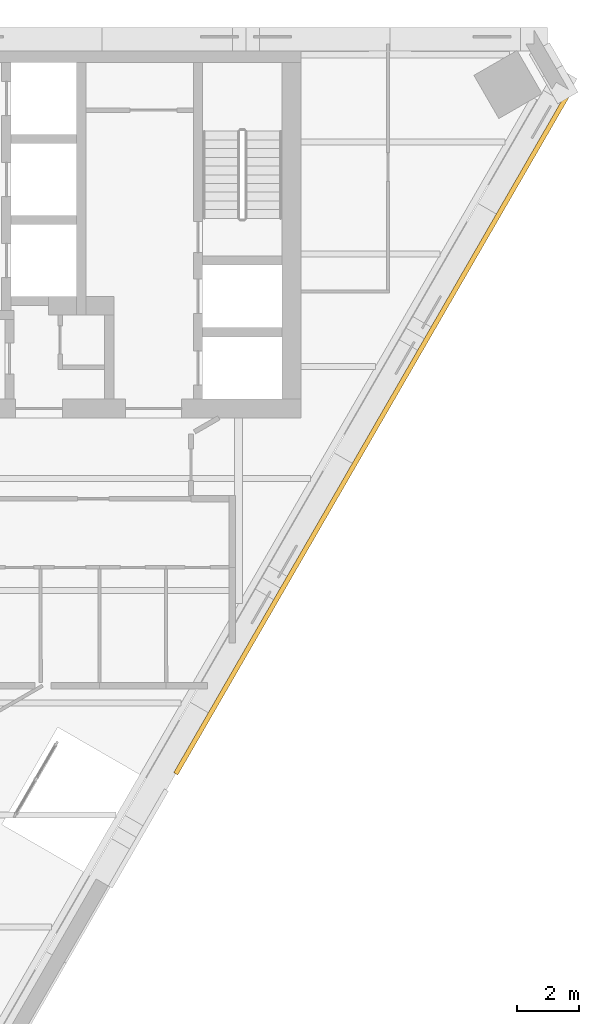
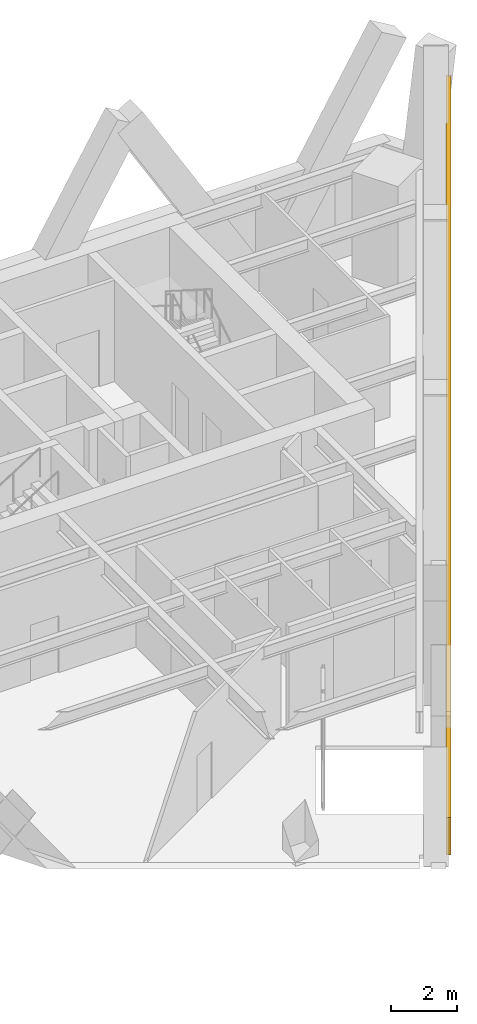
# One storey, part 9 of 9: 1 covering.
"""IFC4 building model written with IfcOpenShell, lengths in metres."""

from ifc_helpers import new_model, si_unit, direction, frame, origin, place, context, subcontext, project, spatial, polyline, outline, extrude, material, layer, layer_set, type_object, element, save


model = new_model("IFC4")

# Units and contexts
model_context = context("Model", 3, precision=1e-05, world=origin(), true_north=direction((0.0, 1.0)))
body_context = subcontext(model_context, "Body", "Model", "MODEL_VIEW")
ifc_project = project(units=[si_unit("LENGTHUNIT", "METRE"), si_unit("AREAUNIT", "SQUARE_METRE"), si_unit("VOLUMEUNIT", "CUBIC_METRE"), si_unit("PLANEANGLEUNIT", "RADIAN"), si_unit("MASSUNIT", "GRAM", prefix="KILO")], contexts=[model_context])

# Site, building, storey
site_placement = place(None, origin())
site = spatial("IfcSite", under=ifc_project, at=site_placement, CompositionType="ELEMENT")
building_placement = place(site_placement, origin())
building = spatial("IfcBuilding", under=site, at=building_placement, Name="Aloe Facet Convention Tower", CompositionType="ELEMENT")
storey_placement = place(building_placement, frame((0.0, 0.0, 277.699951171875)))
storey = spatial("IfcBuildingStorey", under=building, at=storey_placement, Name="L68", CompositionType="ELEMENT", Elevation=277.699951171875)

# Covering
ifc_material = material(Name="Bronze oxide fascia sheet")
ifc_layer = layer(ifc_material, 0.14990234375)
ifc_layer_set = layer_set([ifc_layer], Name="EV-FASCIA-TERR")
covering_type = type_object("IfcCoveringType", Name="EV-FASCIA-TERR", PredefinedType="CLADDING", material=ifc_layer_set)
covering_placement = place(storey_placement, frame((87.051513671875, 111.083984375, -4.449951171875), z_axis=(0.86602684093, -0.499997510783, 0.0), x_axis=(0.46688767497, 0.808678542399, 0.357847612853)))
element("IfcCovering", 1, at=covering_placement, inside=storey, type_object=covering_type, Name="Spiral ribbon zone 5 part 10", PredefinedType="CLADDING", context=body_context, shape_type="SweptSolid", body=[
    extrude(outline(polyline([(0.0, 0.0), (27.125476769243395, 0.0), (27.6265158463216, 1.3074287823618906), (0.5009517119383474, 1.3072008087293943), (0.0, 0.0)])), origin(), (0.0, 0.0, -1.0), 0.14990234375),
])

save(model, "model.ifc")
